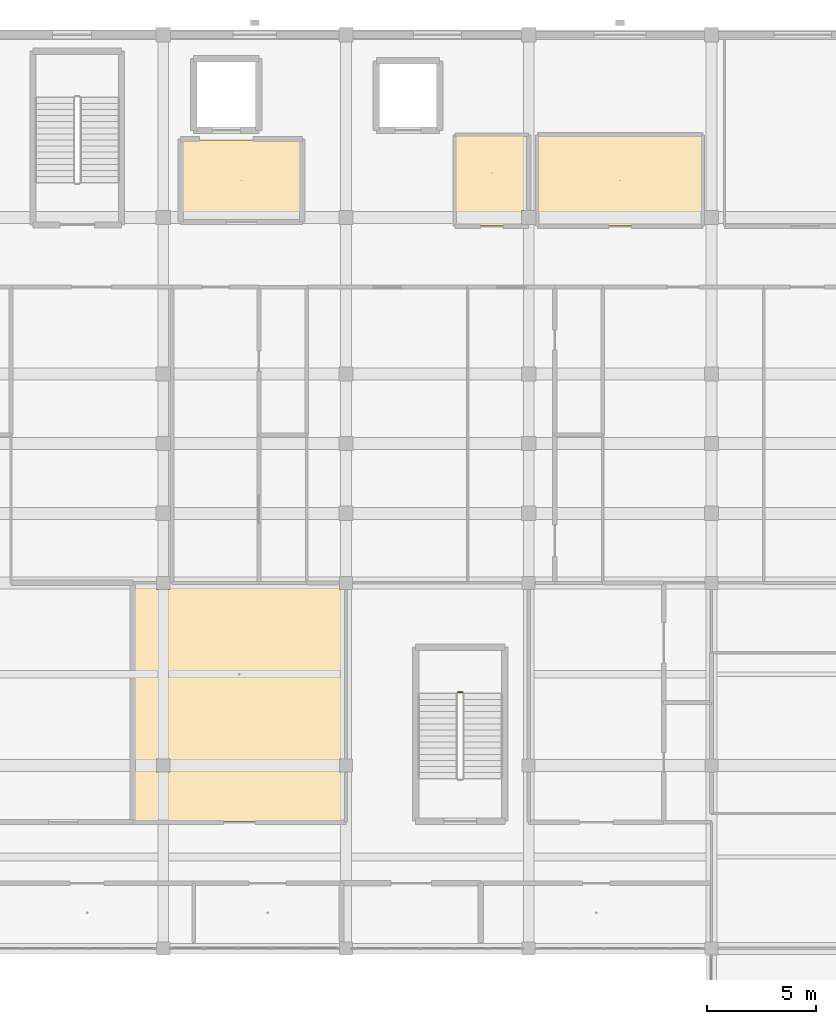
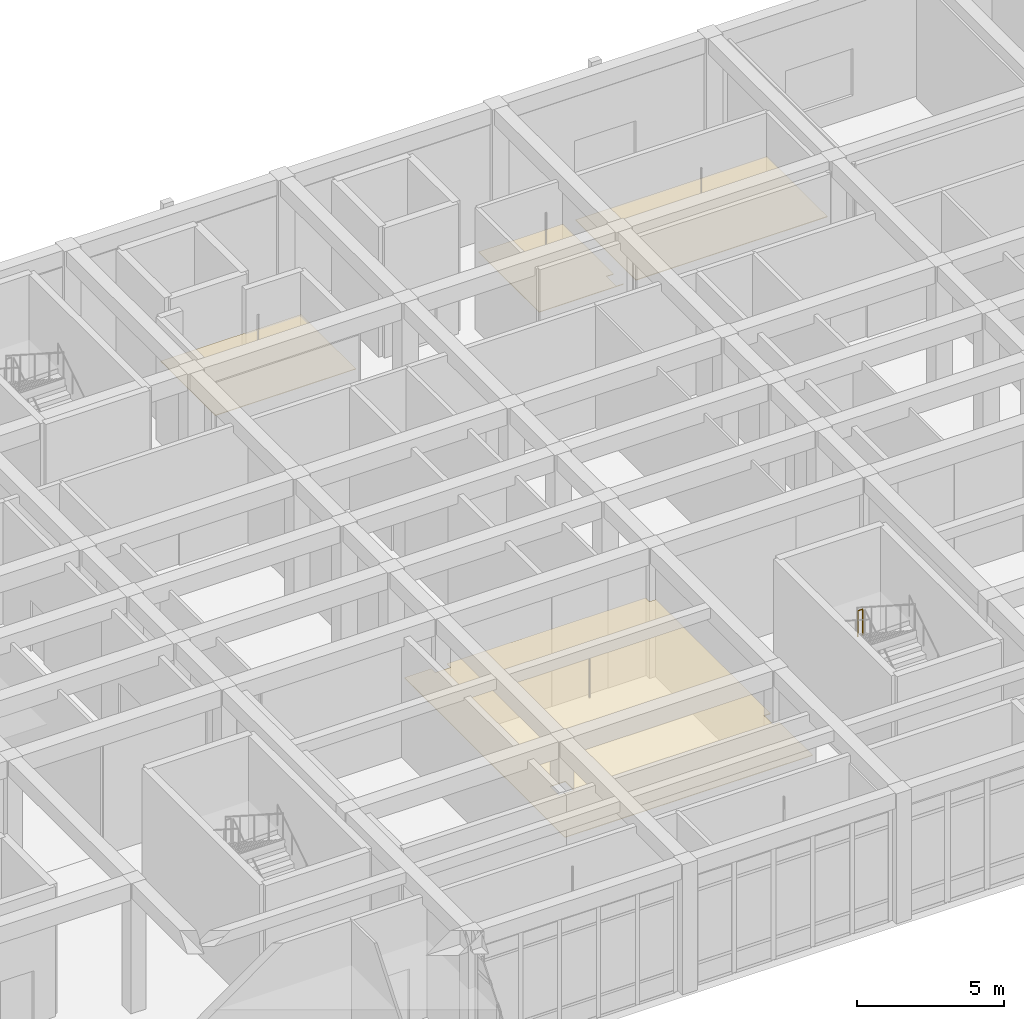
# One storey, part 155 of 157: 4 coverings, 1 railing.
"""IFC4 building model written with IfcOpenShell, lengths in metres."""

from ifc_helpers import new_model, si_unit, direction, frame, origin, origin_2d, place, context, subcontext, project, spatial, polyline, circle, outline, extrude, material, layer, layer_set, type_object, element, save


model = new_model("IFC4")

# Units and contexts
model_context = context("Model", 3, precision=1e-05, world=origin(), true_north=direction((0.0, 1.0)))
body_context = subcontext(model_context, "Body", "Model", "MODEL_VIEW")
ifc_project = project(units=[si_unit("LENGTHUNIT", "METRE"), si_unit("AREAUNIT", "SQUARE_METRE"), si_unit("VOLUMEUNIT", "CUBIC_METRE"), si_unit("PLANEANGLEUNIT", "RADIAN"), si_unit("MASSUNIT", "GRAM", prefix="KILO")], contexts=[model_context])

# Site, building, storey
site_placement = place(None, origin())
site = spatial("IfcSite", under=ifc_project, at=site_placement, CompositionType="ELEMENT")
building_placement = place(site_placement, origin())
building = spatial("IfcBuilding", under=site, at=building_placement, Name="Varncliffe General Hospital", CompositionType="ELEMENT")
storey_placement = place(building_placement, frame((0.0, 0.0, 5.39990234375)))
storey = spatial("IfcBuildingStorey", under=building, at=storey_placement, Name="L01", CompositionType="ELEMENT", Elevation=5.39990234375)

# Coverings
ifc_material_1 = material(Name="Hygienic antimicrobial acoustic suspended ceiling tile", Category="gypsum")
ifc_layer = layer(ifc_material_1, 0.02490234375)
ifc_layer_set = layer_set([ifc_layer], Name="Hygienic antimicrobial acoustic suspended ceiling tile")
covering_type = type_object("IfcCoveringType", Name="Antimicrobial Acoustic Suspended Ceiling CLG44", PredefinedType="CEILING", material=ifc_layer_set)
covering_1_placement = place(storey_placement, frame((0.0, 0.0, 3.175048828125)))
element("IfcCovering", 1, at=covering_1_placement, inside=storey, type_object=covering_type, Name="L01 Firefighting Lift Lobby LF03 Suspended Ceiling", PredefinedType="CEILING", context=body_context, shape_type="SweptSolid", body=[
    extrude(outline(polyline([(132.360107421875, 116.239990234375), (132.360107421875, 119.9599609375), (126.840087890625, 119.9599609375), (126.840087890625, 116.239990234375), (132.360107421875, 116.239990234375)])), origin(), (0.0, 0.0, 1.0), 0.025146484375),
])
covering_2_placement = place(storey_placement, frame((0.0, 0.0, 3.175048828125)))
element("IfcCovering", 2, at=covering_2_placement, inside=storey, type_object=covering_type, Name="L01 Accessible WC L01-NE Suspended Ceiling", PredefinedType="CEILING", context=body_context, shape_type="SweptSolid", body=[
    extrude(outline(polyline([(142.760009765625, 116.0400390625), (139.43994140625, 116.0400390625), (139.43994140625, 120.159912109375), (142.760009765625, 120.159912109375), (142.760009765625, 116.72509765625), (142.47509765625, 116.72509765625), (142.47509765625, 116.074951171875), (142.760009765625, 116.074951171875), (142.760009765625, 116.0400390625)])), origin(), (0.0, 0.0, 1.0), 0.025146484375),
])
covering_3_placement = place(storey_placement, frame((0.0, 0.0, 3.175048828125)))
element("IfcCovering", 3, at=covering_3_placement, inside=storey, type_object=covering_type, Name="L01 Staff and Visitor WC L01-NE Suspended Ceiling", PredefinedType="CEILING", context=body_context, shape_type="SweptSolid", body=[
    extrude(outline(polyline([(150.760009765625, 116.0400390625), (150.760009765625, 120.159912109375), (143.239990234375, 120.159912109375), (143.239990234375, 116.0400390625), (150.760009765625, 116.0400390625)])), origin(), (0.0, 0.0, 1.0), 0.025146484375),
])
covering_4_placement = place(storey_placement, frame((0.0, 0.0, 3.175048828125)))
element("IfcCovering", 4, at=covering_4_placement, inside=storey, type_object=covering_type, Name="L01 Inpatient Hospital Pharmacy Cleanroom 100 Suspended Ceiling", PredefinedType="CEILING", context=body_context, shape_type="SweptSolid", body=[
    extrude(outline(polyline([(134.10009765625, 91.5), (134.10009765625, 90.89990234375), (134.360107421875, 90.89990234375), (134.360107421875, 88.639892578125), (124.639892578125, 88.639892578125), (124.639892578125, 99.56005859375), (125.699951171875, 99.56005859375), (125.699951171875, 99.300048828125), (126.300048828125, 99.300048828125), (126.300048828125, 99.56005859375), (134.10009765625, 99.56005859375), (134.10009765625, 99.300048828125), (134.360107421875, 99.300048828125), (134.360107421875, 91.5), (134.10009765625, 91.5)]), holes=[polyline([(126.300048828125, 90.89990234375), (126.300048828125, 91.5), (125.699951171875, 91.5), (125.699951171875, 90.89990234375), (126.300048828125, 90.89990234375)])]), origin(), (0.0, 0.0, 1.0), 0.025146484375),
])

# Railing
ifc_material_2 = material(Name="Powder-coated hospital steel guardrail and handrail", Category="steel")
railing_type = type_object("IfcRailingType", Name="Stairwell Guardrail SG49", PredefinedType="GUARDRAIL", material=ifc_material_2)
railing_placement = place(storey_placement, frame((139.75, 94.570068359375, 2.7001953125)))
element("IfcRailing", 5, at=railing_placement, inside=storey, type_object=railing_type, Name="L01 ST14 stair guard 2", PredefinedType="GUARDRAIL", context=body_context, shape_type="SweptSolid", body=[
    extrude(circle(Radius=0.02392578125, at=origin_2d()), frame((0.0, 0.0, 1.076171875), z_axis=(-1.0, 0.0, 0.0), x_axis=(0.0, -1.0, 0.0)), (0.0, 0.0, 1.0), 0.199951171875),
    extrude(circle(Radius=0.02099609375, at=origin_2d()), origin(), (0.0, 0.0, 1.0), 1.052001953125),
    extrude(circle(Radius=0.02099609375, at=origin_2d()), frame((-0.199951171875, 0.0, 0.0)), (0.0, 0.0, 1.0), 1.052001953125),
])

save(model, "model.ifc")
